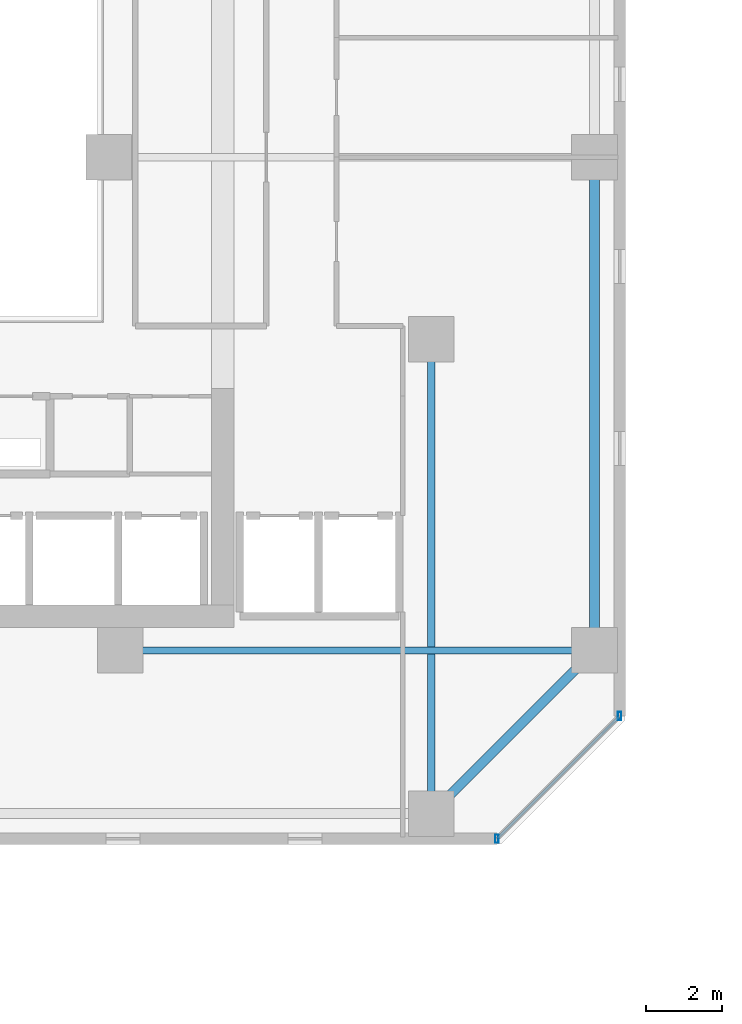
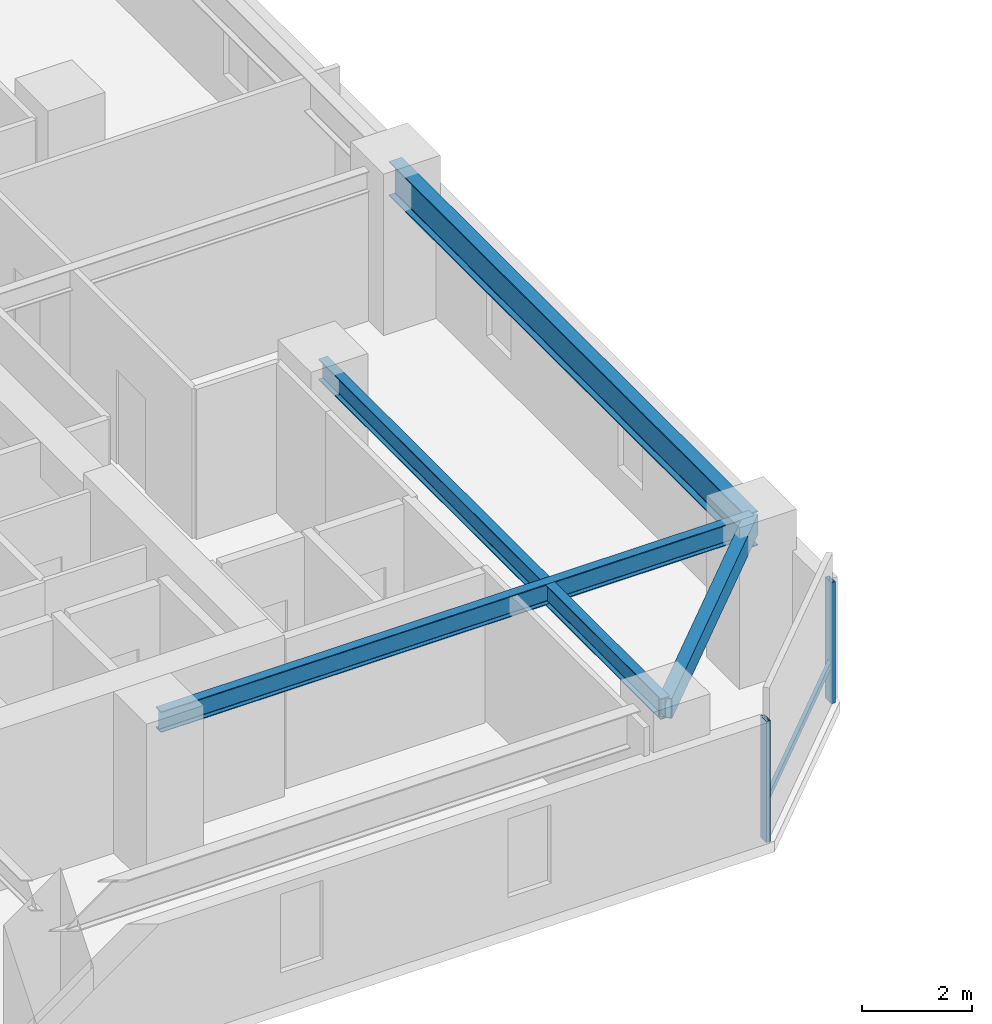
# One storey, part 5 of 33: 4 beams, 3 members, 1 element without a shape of its own.
"""IFC4 building model written with IfcOpenShell, lengths in metres."""

from ifc_helpers import new_model, si_unit, direction, frame, origin, origin_2d, place, context, subcontext, project, spatial, hollow_rectangle, i_section, extrude, material, material_profile, profile_set, type_object, element, aggregate, save


model = new_model("IFC4")

# Units and contexts
model_context = context("Model", 3, precision=1e-05, world=origin(), true_north=direction((0.0, 1.0)))
body_context = subcontext(model_context, "Body", "Model", "MODEL_VIEW")
ifc_project = project(units=[si_unit("LENGTHUNIT", "METRE"), si_unit("AREAUNIT", "SQUARE_METRE"), si_unit("VOLUMEUNIT", "CUBIC_METRE"), si_unit("PLANEANGLEUNIT", "RADIAN"), si_unit("MASSUNIT", "GRAM", prefix="KILO")], contexts=[model_context])

# Site, building, storey
site_placement = place(None, origin())
site = spatial("IfcSite", under=ifc_project, at=site_placement, CompositionType="ELEMENT")
building_placement = place(site_placement, origin())
building = spatial("IfcBuilding", under=site, at=building_placement, Name="Thornwick Lancets Civic Towers", CompositionType="ELEMENT")
storey_placement = place(building_placement, frame((0.0, 0.0, 108.89990234375)))
storey = spatial("IfcBuildingStorey", under=building, at=storey_placement, Name="L28", CompositionType="ELEMENT", Elevation=108.89990234375)

# Beams
ifc_material_1 = material(Name="Steel S355JR", Category="steel")
ifc_material_profile_1 = material_profile(ifc_material_1, i_section(OverallWidth=0.26806640625, OverallDepth=0.769775390625, WebThickness=0.015625, FlangeThickness=0.025390625, FilletRadius=0.0166015625, at=origin_2d()), Name="UKB 762x267x197")
ifc_profile_set_1 = profile_set([ifc_material_profile_1], Name="Steel S355JR")
beam_type_1 = type_object("IfcBeamType", Name="BM_GIRD_762_197", PredefinedType="BEAM", material=ifc_profile_set_1)
beam_1_placement = place(storey_placement, frame((42.800048828125, 14.0, 2.97509765625), z_axis=(0.0, 1.0, 0.0), x_axis=(-1.0, 0.0, 0.0)))
element("IfcBeam", 1, at=beam_1_placement, inside=storey, type_object=beam_type_1, Name="BM-SPINE-L28-A-3-4", PredefinedType="BEAM", context=body_context, shape_type="SweptSolid", body=[
    extrude(i_section(OverallWidth=0.26806640625, OverallDepth=0.769775390625, WebThickness=0.015625, FlangeThickness=0.025390625, FilletRadius=0.0166015625, at=origin_2d()), origin(), (0.0, 0.0, 1.0), 13.0),
])
ifc_material_profile_2 = material_profile(ifc_material_1, i_section(OverallWidth=0.19189453125, OverallDepth=0.46337890625, WebThickness=0.010498046875, FlangeThickness=0.017578125, FilletRadius=0.01025390625, at=origin_2d()), Name="UKB 457x191x89")
ifc_profile_set_2 = profile_set([ifc_material_profile_2], Name="Steel S355JR")
beam_type_2 = type_object("IfcBeamType", Name="BM_JOIST_457_89", PredefinedType="JOIST", material=ifc_profile_set_2)
for number, where, z_axis, x_axis, name in (
    (2, (38.5, 22.199951171875, 3.12841796875), (0.0, -1.0, 0.0), (1.0, 0.0, 0.0), "BM-RADIN-L28-A03"),
    (3, (30.300048828125, 14.0, 3.12841796875), (1.0, 0.0, 0.0), (0.0, 1.0, 0.0), "BM-RADIN-L28-A04"),
):
    element("IfcBeam", number, at=place(storey_placement, frame(where, z_axis=z_axis, x_axis=x_axis)), inside=storey, type_object=beam_type_2, Name=name, PredefinedType="JOIST", context=body_context, shape_type="SweptSolid", body=[
        extrude(i_section(OverallWidth=0.19189453125, OverallDepth=0.46337890625, WebThickness=0.010498046875, FlangeThickness=0.017578125, FilletRadius=0.01025390625, at=origin_2d()), origin(), (0.0, 0.0, 1.0), 12.5),
    ])
ifc_material_profile_3 = material_profile(ifc_material_1, hollow_rectangle(XDim=0.25, YDim=0.449951171875, WallThickness=0.01611328125, at=origin_2d()), Name="RHS 450x250x16")
ifc_profile_set_3 = profile_set([ifc_material_profile_3], Name="Steel S355JR")
beam_type_3 = type_object("IfcBeamType", Name="BM_RING_RHS450", PredefinedType="BEAM", material=ifc_profile_set_3)
beam_2_placement = place(storey_placement, frame((38.5, 9.699951171875, 3.135009765625), z_axis=(0.707106781187, 0.707106781187, 0.0), x_axis=(-0.707106781187, 0.707106781187, 0.0)))
element("IfcBeam", 4, at=beam_2_placement, inside=storey, type_object=beam_type_3, Name="BM-CHAMF-L28-A-C0", PredefinedType="BEAM", context=body_context, shape_type="SweptSolid", body=[
    extrude(hollow_rectangle(XDim=0.25, YDim=0.449951171875, WallThickness=0.01611328125, at=origin_2d()), origin(), (0.0, 0.0, 1.0), 6.081298828125),
])

# Curtain wall, members
ifc_material_2 = material(Name="Low-zone chamfered-corner unitised glass curtain wall", Category="glass")
curtain_wall_type = type_object("IfcCurtainWallType", Name="CW_SYS_03", PredefinedType="NOTDEFINED", material=ifc_material_2)
curtain_wall_placement = place(storey_placement, origin())
curtain_wall = element("IfcCurtainWall", 5, at=curtain_wall_placement, inside=storey, type_object=curtain_wall_type, Name="L28 Curtain Wall CW-L28-A-E1", PredefinedType="NOTDEFINED")
ifc_material_3 = material(Name="Thermally broken bronze aluminium S355", Category="steel")
ifc_material_profile_4 = material_profile(ifc_material_3, hollow_rectangle(XDim=0.090087890625, YDim=0.219970703125, WallThickness=0.00634765625, at=origin_2d()), Name="RHS 220x90x6.3")
ifc_profile_set_4 = profile_set([ifc_material_profile_4], Name="Thermally broken bronze aluminium S355")
member_type_1 = type_object("IfcMemberType", Name="CW_MUL_220", PredefinedType="MULLION", material=ifc_profile_set_4)
member_1_placement = place(storey_placement, frame((40.228759765625, 9.037353515625, 0.0), z_axis=(0.0, 0.0, 1.0), x_axis=(1.0, 0.0, 0.0)))
member_1 = element("IfcMember", 6, at=member_1_placement, type_object=member_type_1, Name="CW-L28-A-E1 Mullion 0", PredefinedType="MULLION", context=body_context, shape_type="SweptSolid", body=[
    extrude(hollow_rectangle(XDim=0.090087890625, YDim=0.219970703125, WallThickness=0.00634765625, at=origin_2d()), origin(), (0.0, 0.0, 1.0), 2.7001953125),
])
member_2_placement = place(storey_placement, frame((43.462646484375, 12.271240234375, 0.0), z_axis=(0.0, 0.0, 1.0), x_axis=(1.0, 0.0, 0.0)))
member_2 = element("IfcMember", 7, at=member_2_placement, type_object=member_type_1, Name="CW-L28-A-E1 Mullion 1", PredefinedType="MULLION", context=body_context, shape_type="SweptSolid", body=[
    extrude(hollow_rectangle(XDim=0.090087890625, YDim=0.219970703125, WallThickness=0.00634765625, at=origin_2d()), origin(), (0.0, 0.0, 1.0), 2.7001953125),
])
ifc_material_profile_5 = material_profile(ifc_material_3, hollow_rectangle(XDim=0.074951171875, YDim=0.14990234375, WallThickness=0.0048828125, at=origin_2d()), Name="RHS 150x75x5")
ifc_profile_set_5 = profile_set([ifc_material_profile_5], Name="Thermally broken bronze aluminium S355")
member_type_2 = type_object("IfcMemberType", Name="CW_TRN_150", PredefinedType="USERDEFINED", material=ifc_profile_set_5)
member_3_placement = place(storey_placement, frame((40.242919921875, 9.051513671875, 0.85009765625), z_axis=(0.707106781187, 0.707106781187, 0.0), x_axis=(-0.707106781187, 0.707106781187, 0.0)))
member_3 = element("IfcMember", 8, at=member_3_placement, type_object=member_type_2, Name="CW-L28-A-E1 Transom 0", ObjectType="TRANSOM", PredefinedType="USERDEFINED", context=body_context, shape_type="SweptSolid", body=[
    extrude(hollow_rectangle(XDim=0.074951171875, YDim=0.14990234375, WallThickness=0.0048828125, at=origin_2d()), origin(), (0.0, 0.0, 1.0), 4.533447265625),
])
aggregate(curtain_wall, [member_1, member_2, member_3])

save(model, "model.ifc")
